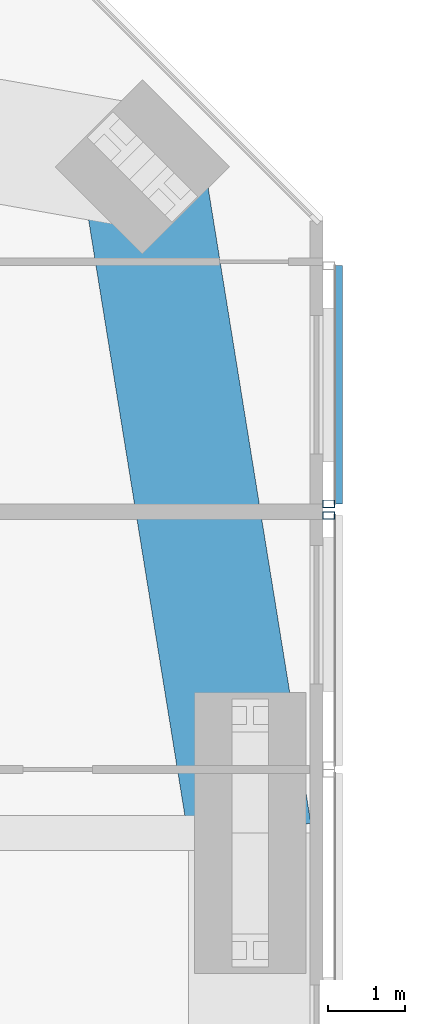
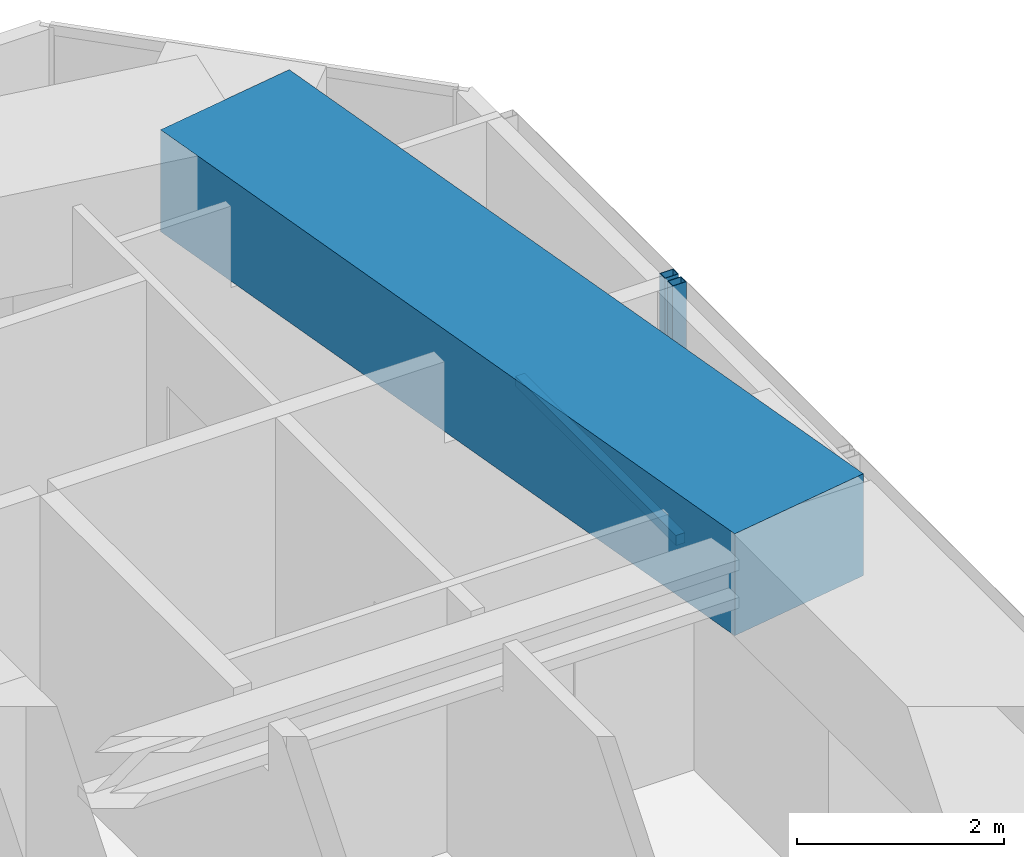
# One storey, part 9 of 23: 3 members, 1 beam, 2 elements without a shape of their own.
"""IFC4 building model written with IfcOpenShell, lengths in metres."""

from ifc_helpers import new_model, si_unit, direction, frame, origin, origin_2d, place, context, subcontext, project, spatial, rectangle, hollow_rectangle, extrude, material, material_profile, profile_set, type_object, element, aggregate, save


model = new_model("IFC4")

# Units and contexts
model_context = context("Model", 3, precision=1e-05, world=origin(), true_north=direction((0.0, 1.0)))
body_context = subcontext(model_context, "Body", "Model", "MODEL_VIEW")
ifc_project = project(units=[si_unit("LENGTHUNIT", "METRE"), si_unit("AREAUNIT", "SQUARE_METRE"), si_unit("VOLUMEUNIT", "CUBIC_METRE"), si_unit("PLANEANGLEUNIT", "RADIAN"), si_unit("MASSUNIT", "GRAM", prefix="KILO")], contexts=[model_context])

# Site, building, storey
site_placement = place(None, origin())
site = spatial("IfcSite", under=ifc_project, at=site_placement, CompositionType="ELEMENT")
building_placement = place(site_placement, origin())
building = spatial("IfcBuilding", under=site, at=building_placement, Name="Jalousie Tower", CompositionType="ELEMENT")
storey_placement = place(building_placement, frame((0.0, 0.0, 194.550048828125)))
storey = spatial("IfcBuildingStorey", under=building, at=storey_placement, Name="L53", CompositionType="ELEMENT", Elevation=194.550048828125)

# Beam
ifc_material_1 = material(Name="Concrete f'c 40 MPa", Category="concrete")
ifc_material_profile_1 = material_profile(ifc_material_1, rectangle(XDim=1.60009765625, YDim=1.199951171875, at=origin_2d()), Name="RC 1600x1200")
ifc_profile_set_1 = profile_set([ifc_material_profile_1], Name="Concrete f'c 40 MPa")
beam_type = type_object("IfcBeamType", Name="RC BEAM 1600x1200", PredefinedType="BEAM", material=ifc_profile_set_1)
beam_placement = place(storey_placement, frame((52.050048828125, 25.0, 2.75), z_axis=(-0.159567878256, 0.987186959106, 0.0), x_axis=(-0.987186959106, -0.159567878256, 0.0)))
element("IfcBeam", 1, at=beam_placement, inside=storey, type_object=beam_type, Name="Edge band beam 07-08 under L54", PredefinedType="BEAM", context=body_context, shape_type="SweptSolid", body=[
    extrude(rectangle(XDim=1.60009765625, YDim=1.199951171875, at=origin_2d()), origin(), (0.0, 0.0, 1.0), 8.763916015625),
])

# Curtain wall, member
ifc_material_2 = material(Name="Perforated aluminium sheet", Category="aluminium")
curtain_wall_type = type_object("IfcCurtainWallType", Name="SOLAR SCREEN SS-1", PredefinedType="USERDEFINED", material=ifc_material_2)
curtain_wall_1_placement = place(storey_placement, origin())
curtain_wall_1 = element("IfcCurtainWall", 2, at=curtain_wall_1_placement, inside=storey, type_object=curtain_wall_type, Name="Solar screen L53", ObjectType="SOLAR SCREEN SS-1", PredefinedType="USERDEFINED")
ifc_material_3 = material(Name="Steel ASTM A500 Grade C", Category="steel")
ifc_material_profile_2 = material_profile(ifc_material_3, hollow_rectangle(XDim=0.1015625, YDim=0.15234375, WallThickness=0.00634765625, at=origin_2d()), Name="HSS6X4X1/4")
ifc_profile_set_2 = profile_set([ifc_material_profile_2], Name="Steel ASTM A500 Grade C")
member_type_1 = type_object("IfcMemberType", Name="SOLAR SCREEN SS-1 MULLION", PredefinedType="MULLION", material=ifc_profile_set_2)
member_1_placement = place(storey_placement, frame((53.0712890625, 29.125, -0.1201171875), z_axis=(0.0, 0.0, 1.0), x_axis=(0.0, 1.0, 0.0)))
member_1 = element("IfcMember", 3, at=member_1_placement, type_object=member_type_1, Name="SS1 post 2", PredefinedType="MULLION", context=body_context, shape_type="SweptSolid", body=[
    extrude(hollow_rectangle(XDim=0.1015625, YDim=0.15234375, WallThickness=0.00634765625, at=origin_2d()), origin(), (0.0, 0.0, 1.0), 3.22998046875),
])
aggregate(curtain_wall_1, [member_1])

# Curtain wall, members
curtain_wall_2_placement = place(storey_placement, origin())
curtain_wall_2 = element("IfcCurtainWall", 4, at=curtain_wall_2_placement, inside=storey, type_object=curtain_wall_type, Name="Solar screen L53", ObjectType="SOLAR SCREEN SS-1", PredefinedType="USERDEFINED")
member_2_placement = place(storey_placement, frame((53.0712890625, 29.27490234375, -0.1201171875), z_axis=(0.0, 0.0, 1.0), x_axis=(0.0, 1.0, 0.0)))
member_2 = element("IfcMember", 5, at=member_2_placement, type_object=member_type_1, Name="SS1 post 1", PredefinedType="MULLION", context=body_context, shape_type="SweptSolid", body=[
    extrude(hollow_rectangle(XDim=0.1015625, YDim=0.15234375, WallThickness=0.00634765625, at=origin_2d()), origin(), (0.0, 0.0, 1.0), 3.22998046875),
])
ifc_material_4 = material(Name="Extruded aluminium screen rail", Category="aluminium")
ifc_material_profile_3 = material_profile(ifc_material_4, rectangle(XDim=0.1015625, YDim=0.1201171875, at=origin_2d()), Name="RAIL 102x120")
ifc_profile_set_3 = profile_set([ifc_material_profile_3], Name="Extruded aluminium screen rail")
member_type_2 = type_object("IfcMemberType", Name="SOLAR SCREEN SS-1 TRANSOM", PredefinedType="USERDEFINED", material=ifc_profile_set_3)
member_3_placement = place(storey_placement, frame((53.1982421875, 29.27490234375, -0.06005859375), z_axis=(0.0, 1.0, 0.0), x_axis=(-1.0, 0.0, 0.0)))
member_3 = element("IfcMember", 6, at=member_3_placement, type_object=member_type_2, Name="SS1 rail", ObjectType="TRANSOM", PredefinedType="USERDEFINED", context=body_context, shape_type="SweptSolid", body=[
    extrude(rectangle(XDim=0.1015625, YDim=0.1201171875, at=origin_2d()), origin(), (0.0, 0.0, 1.0), 3.09521484375),
])
aggregate(curtain_wall_2, [member_2, member_3])

save(model, "model.ifc")
